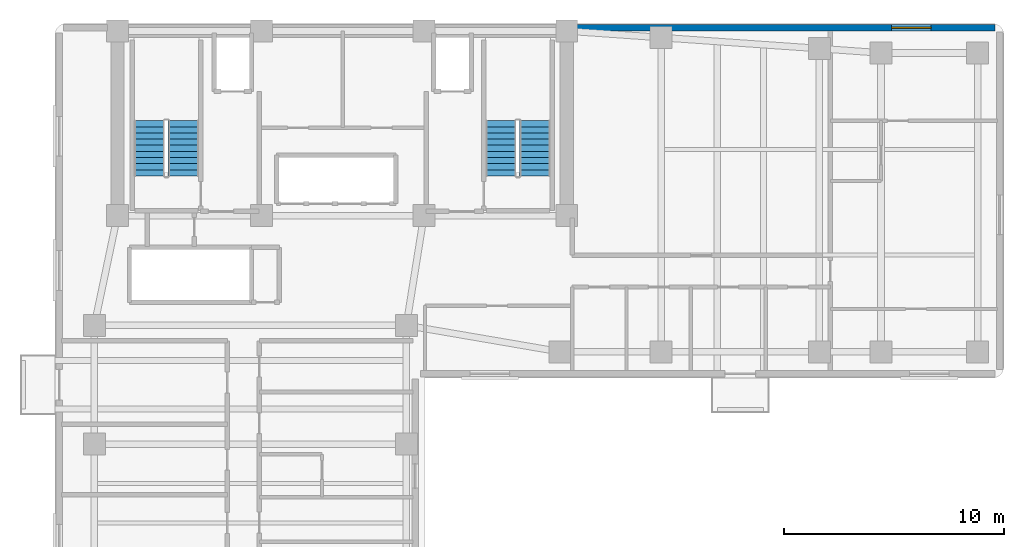
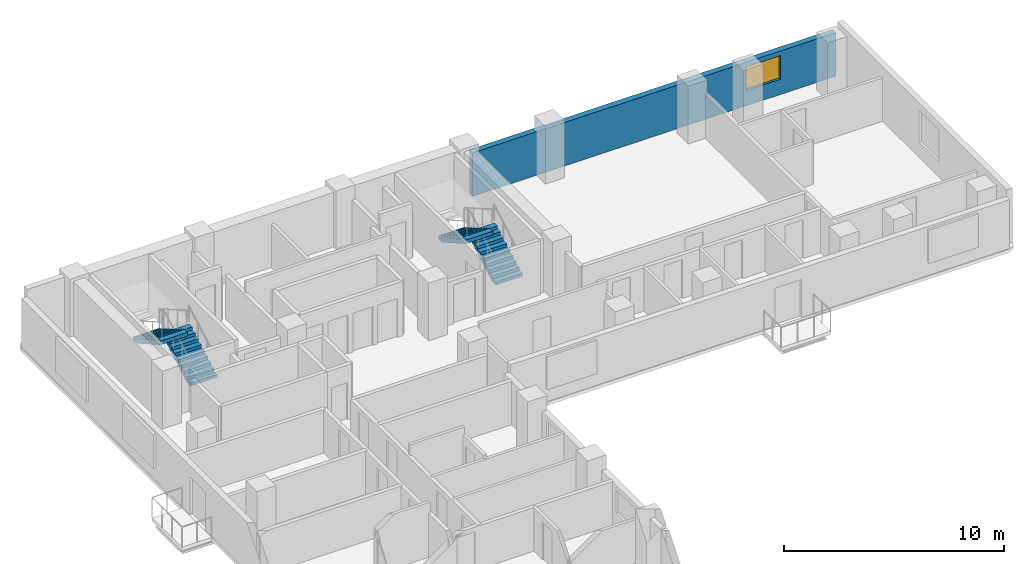
# One storey, part 5 of 7: 4 stair flights, 1 wall, 1 window, 1 opening, 2 elements without a shape of their own.
"""IFC4 building model written with IfcOpenShell, lengths in metres."""

from ifc_helpers import new_model, si_unit, direction, frame, frame_2d, origin, place, context, subcontext, project, spatial, polyline, rectangle, outline, extrude, material, layer, layer_set, type_object, element, fill, aggregate, save


model = new_model("IFC4")

# Units and contexts
model_context = context("Model", 3, precision=1e-05, world=origin(), true_north=direction((0.0, 1.0)))
body_context = subcontext(model_context, "Body", "Model", "MODEL_VIEW")
ifc_project = project(units=[si_unit("LENGTHUNIT", "METRE"), si_unit("AREAUNIT", "SQUARE_METRE"), si_unit("VOLUMEUNIT", "CUBIC_METRE"), si_unit("PLANEANGLEUNIT", "RADIAN"), si_unit("MASSUNIT", "GRAM", prefix="KILO")], contexts=[model_context])

# Site, building, storey
site_placement = place(None, origin())
site = spatial("IfcSite", under=ifc_project, at=site_placement, CompositionType="ELEMENT")
building_placement = place(site_placement, origin())
building = spatial("IfcBuilding", under=site, at=building_placement, Name="Kuzgunbayir Cultural Tower", CompositionType="ELEMENT")
storey_placement = place(building_placement, frame((0.0, 0.0, 120.199951171875)))
storey = spatial("IfcBuildingStorey", under=building, at=storey_placement, Name="L34", CompositionType="ELEMENT", Elevation=120.199951171875)

# Wall, opening, window
ifc_material_1 = material(Name="Anatolian Cream Limestone", Category="masonry")
ifc_layer = layer(ifc_material_1, 0.300048828125)
ifc_layer_set = layer_set([ifc_layer], Name="Anatolian Cream Limestone")
wall_type = type_object("IfcWallType", Name="WAL-EXT-STONE-300", PredefinedType="STANDARD", material=ifc_layer_set)
wall_placement = place(storey_placement, frame((46.39990234375, 42.35009765625, 0.0), z_axis=(0.0, 0.0, 1.0), x_axis=(-1.0, 0.0, 0.0)))
wall = element("IfcWall", 1, at=wall_placement, inside=storey, type_object=wall_type, Name="L34 North Wing B Limestone Wall", PredefinedType="STANDARD", context=body_context, shape_type="SweptSolid", body=[
    extrude(rectangle(XDim=19.0498046875, YDim=0.300048828125, at=frame_2d((9.52490234375, 0.0))), origin(), (0.0, 0.0, 1.0), 2.41015625),
])
opening_placement = place(wall_placement, frame((2.919921875, 0.0, 0.85009765625)))
opening = element("IfcOpeningElement", 2, at=opening_placement, cuts=wall, Name="Opening WH-18", PredefinedType="OPENING", context=body_context, shape_type="SweptSolid", body=[
    extrude(rectangle(XDim=1.800048828125, YDim=1.31005859375, at=frame_2d((0.89990234375, 0.655029296875))), frame((0.0, 0.16015625, 0.0), z_axis=(0.0, -1.0, 0.0), x_axis=(1.0, 0.0, 0.0)), (0.0, 0.0, 1.0), 0.320068359375),
])
ifc_material_2 = material(Name="Solar-Control Triple Glazing", Category="glass")
window_type = type_object("IfcWindowType", Name="WIN-HOTEL-18", PartitioningType="SINGLE_PANEL", PredefinedType="WINDOW", material=ifc_material_2)
window_placement = place(opening_placement, origin())
window = element("IfcWindow", 3, at=window_placement, inside=storey, type_object=window_type, Name="L34 CRN Facade Window 5", OverallHeight=1.31005859375, OverallWidth=1.800048828125, PartitioningType="SINGLE_PANEL", PredefinedType="WINDOW", context=body_context, shape_type="SweptSolid", body=[
    extrude(rectangle(XDim=1.800048828125, YDim=1.31005859375, at=frame_2d((0.89990234375, 0.655029296875))), frame((0.0, 0.030029296875, 0.0), z_axis=(0.0, -1.0, 0.0), x_axis=(1.0, 0.0, 0.0)), (0.0, 0.0, 1.0), 0.06005859375),
])
fill(opening, window)

# Stair, stair flights
ifc_material_3 = material(Name="Concrete C40/50", Category="concrete")
stair_type = type_object("IfcStairType", Name="STR-EXIT-CORE", PredefinedType="HALF_TURN_STAIR", material=ifc_material_3)
stair_1_placement = place(storey_placement, origin())
stair_1 = element("IfcStair", 4, at=stair_1_placement, inside=storey, type_object=stair_type, Name="L34 ST-1", PredefinedType="HALF_TURN_STAIR")
stair_flight_type = type_object("IfcStairFlightType", Name="STRF-RC-140", PredefinedType="STRAIGHT", material=ifc_material_3)
stair_flight_1_placement = place(storey_placement, frame((9.4599609375, 35.60009765625, 0.0), z_axis=(0.0, 0.0, 1.0), x_axis=(0.0, 1.0, 0.0)))
stair_flight_1 = element("IfcStairFlight", 5, at=stair_flight_1_placement, type_object=stair_flight_type, Name="ST-1 flight 1", NumberOfRisers=10, NumberOfTreads=9, PredefinedType="STRAIGHT", RiserHeight=0.16, TreadLength=0.28, context=body_context, shape_type="SweptSolid", body=[
    extrude(outline(polyline([(0.0, 0.0), (0.0, 0.159912109375), (0.280029296875, 0.159912109375), (0.280029296875, 0.320068359375), (0.56005859375, 0.320068359375), (0.56005859375, 0.47998046875), (0.840087890625, 0.47998046875), (0.840087890625, 0.639892578125), (1.1201171875, 0.639892578125), (1.1201171875, 0.800048828125), (1.39990234375, 0.800048828125), (1.39990234375, 0.9599609375), (1.679931640625, 0.9599609375), (1.679931640625, 1.1201171875), (1.9599609375, 1.1201171875), (1.9599609375, 1.280029296875), (2.239990234375, 1.280029296875), (2.239990234375, 1.43994140625), (2.52001953125, 1.43994140625), (2.52001953125, 1.60009765625), (2.52001953125, 1.232666015625), (0.362548828125, 0.0), (0.0, 0.0)])), frame((0.0, 0.699951171875, 0.0), z_axis=(0.0, -1.0, 0.0), x_axis=(1.0, 0.0, 0.0)), (0.0, 0.0, 1.0), 1.39990234375),
])
stair_flight_2_placement = place(storey_placement, frame((7.89990234375, 38.1201171875, 1.60009765625), z_axis=(0.0, 0.0, 1.0), x_axis=(0.0, -1.0, 0.0)))
stair_flight_2 = element("IfcStairFlight", 6, at=stair_flight_2_placement, type_object=stair_flight_type, Name="ST-1 flight 2", NumberOfRisers=10, NumberOfTreads=9, PredefinedType="STRAIGHT", RiserHeight=0.16, TreadLength=0.28, context=body_context, shape_type="SweptSolid", body=[
    extrude(outline(polyline([(0.0, 0.0), (0.0, 0.159912109375), (0.280029296875, 0.159912109375), (0.280029296875, 0.320068359375), (0.56005859375, 0.320068359375), (0.56005859375, 0.47998046875), (0.840087890625, 0.47998046875), (0.840087890625, 0.639892578125), (1.1201171875, 0.639892578125), (1.1201171875, 0.800048828125), (1.39990234375, 0.800048828125), (1.39990234375, 0.9599609375), (1.679931640625, 0.9599609375), (1.679931640625, 1.1201171875), (1.9599609375, 1.1201171875), (1.9599609375, 1.280029296875), (2.239990234375, 1.280029296875), (2.239990234375, 1.43994140625), (2.52001953125, 1.43994140625), (2.52001953125, 1.60009765625), (2.52001953125, 1.232666015625), (0.362548828125, 0.0), (0.0, 0.0)])), frame((0.0, 0.699951171875, 0.0), z_axis=(0.0, -1.0, 0.0), x_axis=(1.0, 0.0, 0.0)), (0.0, 0.0, 1.0), 1.39990234375),
])
aggregate(stair_1, [stair_flight_1, stair_flight_2])

stair_2_placement = place(storey_placement, origin())
stair_2 = element("IfcStair", 7, at=stair_2_placement, inside=storey, type_object=stair_type, Name="L34 ST-2", PredefinedType="HALF_TURN_STAIR")
stair_flight_3_placement = place(storey_placement, frame((25.4599609375, 35.60009765625, 0.0), z_axis=(0.0, 0.0, 1.0), x_axis=(0.0, 1.0, 0.0)))
stair_flight_3 = element("IfcStairFlight", 8, at=stair_flight_3_placement, type_object=stair_flight_type, Name="ST-2 flight 1", NumberOfRisers=10, NumberOfTreads=9, PredefinedType="STRAIGHT", RiserHeight=0.16, TreadLength=0.28, context=body_context, shape_type="SweptSolid", body=[
    extrude(outline(polyline([(0.0, 0.0), (0.0, 0.159912109375), (0.280029296875, 0.159912109375), (0.280029296875, 0.320068359375), (0.56005859375, 0.320068359375), (0.56005859375, 0.47998046875), (0.840087890625, 0.47998046875), (0.840087890625, 0.639892578125), (1.1201171875, 0.639892578125), (1.1201171875, 0.800048828125), (1.39990234375, 0.800048828125), (1.39990234375, 0.9599609375), (1.679931640625, 0.9599609375), (1.679931640625, 1.1201171875), (1.9599609375, 1.1201171875), (1.9599609375, 1.280029296875), (2.239990234375, 1.280029296875), (2.239990234375, 1.43994140625), (2.52001953125, 1.43994140625), (2.52001953125, 1.60009765625), (2.52001953125, 1.232666015625), (0.362548828125, 0.0), (0.0, 0.0)])), frame((0.0, 0.699951171875, 0.0), z_axis=(0.0, -1.0, 0.0), x_axis=(1.0, 0.0, 0.0)), (0.0, 0.0, 1.0), 1.39990234375),
])
stair_flight_4_placement = place(storey_placement, frame((23.89990234375, 38.1201171875, 1.60009765625), z_axis=(0.0, 0.0, 1.0), x_axis=(0.0, -1.0, 0.0)))
stair_flight_4 = element("IfcStairFlight", 9, at=stair_flight_4_placement, type_object=stair_flight_type, Name="ST-2 flight 2", NumberOfRisers=10, NumberOfTreads=9, PredefinedType="STRAIGHT", RiserHeight=0.16, TreadLength=0.28, context=body_context, shape_type="SweptSolid", body=[
    extrude(outline(polyline([(0.0, 0.0), (0.0, 0.159912109375), (0.280029296875, 0.159912109375), (0.280029296875, 0.320068359375), (0.56005859375, 0.320068359375), (0.56005859375, 0.47998046875), (0.840087890625, 0.47998046875), (0.840087890625, 0.639892578125), (1.1201171875, 0.639892578125), (1.1201171875, 0.800048828125), (1.39990234375, 0.800048828125), (1.39990234375, 0.9599609375), (1.679931640625, 0.9599609375), (1.679931640625, 1.1201171875), (1.9599609375, 1.1201171875), (1.9599609375, 1.280029296875), (2.239990234375, 1.280029296875), (2.239990234375, 1.43994140625), (2.52001953125, 1.43994140625), (2.52001953125, 1.60009765625), (2.52001953125, 1.232666015625), (0.362548828125, 0.0), (0.0, 0.0)])), frame((0.0, 0.699951171875, 0.0), z_axis=(0.0, -1.0, 0.0), x_axis=(1.0, 0.0, 0.0)), (0.0, 0.0, 1.0), 1.39990234375),
])
aggregate(stair_2, [stair_flight_3, stair_flight_4])

save(model, "model.ifc")
